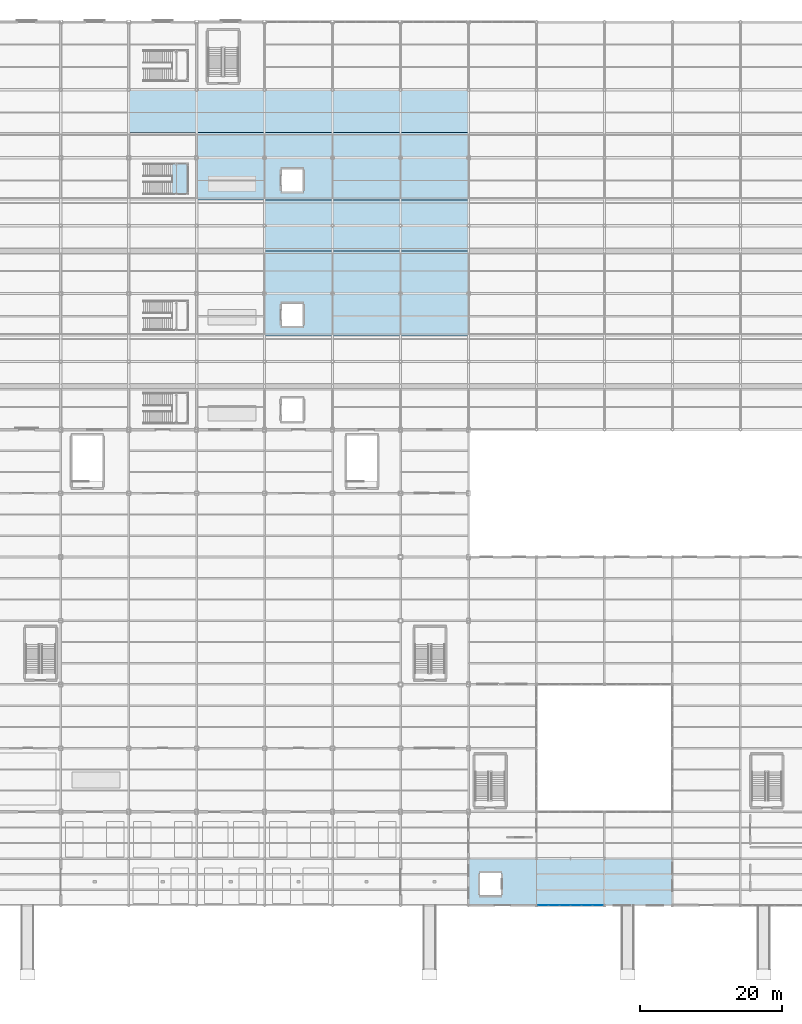
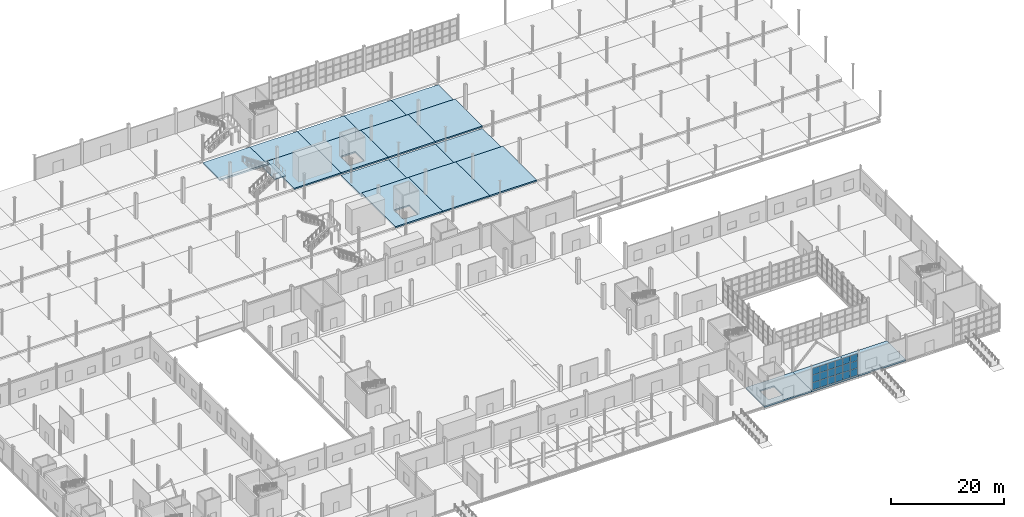
# One storey, part 50 of 85: 19 slabs, 18 plates, 2 elements without a shape of their own.
"""IFC4 building model written with IfcOpenShell, lengths in metres."""

from ifc_helpers import new_model, si_unit, direction, frame, origin, origin_2d, place, context, subcontext, project, spatial, polyline, rectangle, outline, extrude, material, layer, layer_set, type_object, element, aggregate, save


model = new_model("IFC4")

# Units and contexts
model_context = context("Model", 3, precision=1e-05, world=origin(), true_north=direction((0.0, 1.0)))
body_context = subcontext(model_context, "Body", "Model", "MODEL_VIEW")
ifc_project = project(units=[si_unit("LENGTHUNIT", "METRE"), si_unit("AREAUNIT", "SQUARE_METRE"), si_unit("VOLUMEUNIT", "CUBIC_METRE"), si_unit("PLANEANGLEUNIT", "RADIAN"), si_unit("MASSUNIT", "GRAM", prefix="KILO")], contexts=[model_context])

# Site, building, storey
site_placement = place(None, origin())
site = spatial("IfcSite", under=ifc_project, at=site_placement, CompositionType="ELEMENT")
building_placement = place(site_placement, origin())
building = spatial("IfcBuilding", under=site, at=building_placement, Name="Zarnetskaya Central Station", CompositionType="ELEMENT")
storey_placement = place(building_placement, origin())
storey = spatial("IfcBuildingStorey", under=building, at=storey_placement, Name="L00", CompositionType="ELEMENT", Elevation=0.0)

# Curtain wall, plates
ifc_material_1 = material(Name="Low-E insulated glass", Category="glass")
ifc_layer_1 = layer(ifc_material_1, 0.172119140625, Name="Low-E insulated glass", Category="glass")
ifc_layer_set_1 = layer_set([ifc_layer_1], Name="Low-E insulated glass")
curtain_wall_type = type_object("IfcCurtainWallType", Name="CW-SYS-04", PredefinedType="USERDEFINED", material=ifc_layer_set_1)
curtain_wall_placement = place(storey_placement, origin())
curtain_wall = element("IfcCurtainWall", 1, at=curtain_wall_placement, inside=storey, type_object=curtain_wall_type, Name="Curtain wall CW-L00-101", ObjectType="CURTAIN WALL", PredefinedType="USERDEFINED")
ifc_layer_2 = layer(ifc_material_1, 0.031982421875, Name="Low-E insulated glass", Category="glass")
ifc_layer_set_2 = layer_set([ifc_layer_2], Name="Low-E insulated glass")
plate_type = type_object("IfcPlateType", Name="CW-PAN-32", PredefinedType="CURTAIN_PANEL", material=ifc_layer_set_2)
plate_1_placement = place(storey_placement, frame((143.0576171875, 0.0, 0.06982421875), z_axis=(0.0, 0.0, 1.0), x_axis=(-1.0, 0.0, 0.0)))
plate_1 = element("IfcPlate", 2, at=plate_1_placement, type_object=plate_type, Name="CW-15 panel 1.1", PredefinedType="CURTAIN_PANEL", context=body_context, shape_type="SweptSolid", body=[
    extrude(rectangle(XDim=1.445068359375, YDim=0.031982421875, at=origin_2d()), origin(), (0.0, 0.0, 1.0), 1.512939453125),
])
plate_2_placement = place(storey_placement, frame((143.0576171875, 0.0, 1.65283203125), z_axis=(0.0, 0.0, 1.0), x_axis=(-1.0, 0.0, 0.0)))
plate_2 = element("IfcPlate", 3, at=plate_2_placement, type_object=plate_type, Name="CW-15 panel 1.2", PredefinedType="CURTAIN_PANEL", context=body_context, shape_type="SweptSolid", body=[
    extrude(rectangle(XDim=1.445068359375, YDim=0.031982421875, at=origin_2d()), origin(), (0.0, 0.0, 1.0), 1.549072265625),
])
plate_3_placement = place(storey_placement, frame((143.0576171875, 0.0, 3.27197265625), z_axis=(0.0, 0.0, 1.0), x_axis=(-1.0, 0.0, 0.0)))
plate_3 = element("IfcPlate", 4, at=plate_3_placement, type_object=plate_type, Name="CW-15 panel 1.3", PredefinedType="CURTAIN_PANEL", context=body_context, shape_type="SweptSolid", body=[
    extrude(rectangle(XDim=1.445068359375, YDim=0.031982421875, at=origin_2d()), origin(), (0.0, 0.0, 1.0), 1.41796875),
])
plate_4_placement = place(storey_placement, frame((141.52490234375, 0.0, 0.06982421875), z_axis=(0.0, 0.0, 1.0), x_axis=(-1.0, 0.0, 0.0)))
plate_4 = element("IfcPlate", 5, at=plate_4_placement, type_object=plate_type, Name="CW-15 panel 2.1", PredefinedType="CURTAIN_PANEL", context=body_context, shape_type="SweptSolid", body=[
    extrude(rectangle(XDim=1.47998046875, YDim=0.031982421875, at=origin_2d()), origin(), (0.0, 0.0, 1.0), 1.512939453125),
])
plate_5_placement = place(storey_placement, frame((141.52490234375, 0.0, 1.65283203125), z_axis=(0.0, 0.0, 1.0), x_axis=(-1.0, 0.0, 0.0)))
plate_5 = element("IfcPlate", 6, at=plate_5_placement, type_object=plate_type, Name="CW-15 panel 2.2", PredefinedType="CURTAIN_PANEL", context=body_context, shape_type="SweptSolid", body=[
    extrude(rectangle(XDim=1.47998046875, YDim=0.031982421875, at=origin_2d()), origin(), (0.0, 0.0, 1.0), 1.549072265625),
])
plate_6_placement = place(storey_placement, frame((141.52490234375, 0.0, 3.27197265625), z_axis=(0.0, 0.0, 1.0), x_axis=(-1.0, 0.0, 0.0)))
plate_6 = element("IfcPlate", 7, at=plate_6_placement, type_object=plate_type, Name="CW-15 panel 2.3", PredefinedType="CURTAIN_PANEL", context=body_context, shape_type="SweptSolid", body=[
    extrude(rectangle(XDim=1.47998046875, YDim=0.031982421875, at=origin_2d()), origin(), (0.0, 0.0, 1.0), 1.41796875),
])
plate_7_placement = place(storey_placement, frame((139.97509765625, 0.0, 0.06982421875), z_axis=(0.0, 0.0, 1.0), x_axis=(-1.0, 0.0, 0.0)))
plate_7 = element("IfcPlate", 8, at=plate_7_placement, type_object=plate_type, Name="CW-15 panel 3.1", PredefinedType="CURTAIN_PANEL", context=body_context, shape_type="SweptSolid", body=[
    extrude(rectangle(XDim=1.47998046875, YDim=0.031982421875, at=origin_2d()), origin(), (0.0, 0.0, 1.0), 1.512939453125),
])
plate_8_placement = place(storey_placement, frame((139.97509765625, 0.0, 1.65283203125), z_axis=(0.0, 0.0, 1.0), x_axis=(-1.0, 0.0, 0.0)))
plate_8 = element("IfcPlate", 9, at=plate_8_placement, type_object=plate_type, Name="CW-15 panel 3.2", PredefinedType="CURTAIN_PANEL", context=body_context, shape_type="SweptSolid", body=[
    extrude(rectangle(XDim=1.47998046875, YDim=0.031982421875, at=origin_2d()), origin(), (0.0, 0.0, 1.0), 1.549072265625),
])
plate_9_placement = place(storey_placement, frame((139.97509765625, 0.0, 3.27197265625), z_axis=(0.0, 0.0, 1.0), x_axis=(-1.0, 0.0, 0.0)))
plate_9 = element("IfcPlate", 10, at=plate_9_placement, type_object=plate_type, Name="CW-15 panel 3.3", PredefinedType="CURTAIN_PANEL", context=body_context, shape_type="SweptSolid", body=[
    extrude(rectangle(XDim=1.47998046875, YDim=0.031982421875, at=origin_2d()), origin(), (0.0, 0.0, 1.0), 1.41796875),
])
plate_10_placement = place(storey_placement, frame((138.425048828125, 0.0, 0.06982421875), z_axis=(0.0, 0.0, 1.0), x_axis=(-1.0, 0.0, 0.0)))
plate_10 = element("IfcPlate", 11, at=plate_10_placement, type_object=plate_type, Name="CW-15 panel 4.1", PredefinedType="CURTAIN_PANEL", context=body_context, shape_type="SweptSolid", body=[
    extrude(rectangle(XDim=1.47998046875, YDim=0.031982421875, at=origin_2d()), origin(), (0.0, 0.0, 1.0), 1.512939453125),
])
plate_11_placement = place(storey_placement, frame((138.425048828125, 0.0, 1.65283203125), z_axis=(0.0, 0.0, 1.0), x_axis=(-1.0, 0.0, 0.0)))
plate_11 = element("IfcPlate", 12, at=plate_11_placement, type_object=plate_type, Name="CW-15 panel 4.2", PredefinedType="CURTAIN_PANEL", context=body_context, shape_type="SweptSolid", body=[
    extrude(rectangle(XDim=1.47998046875, YDim=0.031982421875, at=origin_2d()), origin(), (0.0, 0.0, 1.0), 1.549072265625),
])
plate_12_placement = place(storey_placement, frame((138.425048828125, 0.0, 3.27197265625), z_axis=(0.0, 0.0, 1.0), x_axis=(-1.0, 0.0, 0.0)))
plate_12 = element("IfcPlate", 13, at=plate_12_placement, type_object=plate_type, Name="CW-15 panel 4.3", PredefinedType="CURTAIN_PANEL", context=body_context, shape_type="SweptSolid", body=[
    extrude(rectangle(XDim=1.47998046875, YDim=0.031982421875, at=origin_2d()), origin(), (0.0, 0.0, 1.0), 1.41796875),
])
plate_13_placement = place(storey_placement, frame((136.875, 0.0, 0.06982421875), z_axis=(0.0, 0.0, 1.0), x_axis=(-1.0, 0.0, 0.0)))
plate_13 = element("IfcPlate", 14, at=plate_13_placement, type_object=plate_type, Name="CW-15 panel 5.1", PredefinedType="CURTAIN_PANEL", context=body_context, shape_type="SweptSolid", body=[
    extrude(rectangle(XDim=1.47998046875, YDim=0.031982421875, at=origin_2d()), origin(), (0.0, 0.0, 1.0), 1.512939453125),
])
plate_14_placement = place(storey_placement, frame((136.875, 0.0, 1.65283203125), z_axis=(0.0, 0.0, 1.0), x_axis=(-1.0, 0.0, 0.0)))
plate_14 = element("IfcPlate", 15, at=plate_14_placement, type_object=plate_type, Name="CW-15 panel 5.2", PredefinedType="CURTAIN_PANEL", context=body_context, shape_type="SweptSolid", body=[
    extrude(rectangle(XDim=1.47998046875, YDim=0.031982421875, at=origin_2d()), origin(), (0.0, 0.0, 1.0), 1.549072265625),
])
plate_15_placement = place(storey_placement, frame((136.875, 0.0, 3.27197265625), z_axis=(0.0, 0.0, 1.0), x_axis=(-1.0, 0.0, 0.0)))
plate_15 = element("IfcPlate", 16, at=plate_15_placement, type_object=plate_type, Name="CW-15 panel 5.3", PredefinedType="CURTAIN_PANEL", context=body_context, shape_type="SweptSolid", body=[
    extrude(rectangle(XDim=1.47998046875, YDim=0.031982421875, at=origin_2d()), origin(), (0.0, 0.0, 1.0), 1.41796875),
])
plate_16_placement = place(storey_placement, frame((135.342529296875, 0.0, 0.06982421875), z_axis=(0.0, 0.0, 1.0), x_axis=(-1.0, 0.0, 0.0)))
plate_16 = element("IfcPlate", 17, at=plate_16_placement, type_object=plate_type, Name="CW-15 panel 6.1", PredefinedType="CURTAIN_PANEL", context=body_context, shape_type="SweptSolid", body=[
    extrude(rectangle(XDim=1.445068359375, YDim=0.031982421875, at=origin_2d()), origin(), (0.0, 0.0, 1.0), 1.512939453125),
])
plate_17_placement = place(storey_placement, frame((135.342529296875, 0.0, 1.65283203125), z_axis=(0.0, 0.0, 1.0), x_axis=(-1.0, 0.0, 0.0)))
plate_17 = element("IfcPlate", 18, at=plate_17_placement, type_object=plate_type, Name="CW-15 panel 6.2", PredefinedType="CURTAIN_PANEL", context=body_context, shape_type="SweptSolid", body=[
    extrude(rectangle(XDim=1.445068359375, YDim=0.031982421875, at=origin_2d()), origin(), (0.0, 0.0, 1.0), 1.549072265625),
])
plate_18_placement = place(storey_placement, frame((135.342529296875, 0.0, 3.27197265625), z_axis=(0.0, 0.0, 1.0), x_axis=(-1.0, 0.0, 0.0)))
plate_18 = element("IfcPlate", 19, at=plate_18_placement, type_object=plate_type, Name="CW-15 panel 6.3", PredefinedType="CURTAIN_PANEL", context=body_context, shape_type="SweptSolid", body=[
    extrude(rectangle(XDim=1.445068359375, YDim=0.031982421875, at=origin_2d()), origin(), (0.0, 0.0, 1.0), 1.41796875),
])
aggregate(curtain_wall, [plate_1, plate_2, plate_3, plate_4, plate_5, plate_6, plate_7, plate_8, plate_9, plate_10, plate_11, plate_12, plate_13, plate_14, plate_15, plate_16, plate_17, plate_18])

# Slabs
ifc_material_2 = material(Name="Concrete C30/37", Category="concrete")
ifc_layer_3 = layer(ifc_material_2, 0.320068359375, Name="Concrete C30/37", Category="concrete")
ifc_layer_set_3 = layer_set([ifc_layer_3], Name="Concrete C30/37")
slab_type_1 = type_object("IfcSlabType", Name="SLAB-L00-320", PredefinedType="FLOOR", material=ifc_layer_set_3)
slab_1_placement = place(storey_placement, frame((0.0, 0.0, -0.320068359375)))
element("IfcSlab", 20, at=slab_1_placement, inside=storey, type_object=slab_type_1, Name="L00 slab P-Q/1-2", PredefinedType="FLOOR", context=body_context, shape_type="SweptSolid", body=[
    extrude(outline(polyline([(124.800048828125, 0.0), (134.39990234375, 0.0), (134.39990234375, 6.60009765625), (124.800048828125, 6.60009765625), (124.800048828125, 0.0)]), holes=[polyline([(126.39990234375, 1.39990234375), (129.39990234375, 1.39990234375), (129.39990234375, 4.60009765625), (126.39990234375, 4.60009765625), (126.39990234375, 1.39990234375)])]), origin(), (0.0, 0.0, 1.0), 0.320068359375),
])
slab_2_placement = place(storey_placement, frame((0.0, 0.0, -0.320068359375)))
element("IfcSlab", 21, at=slab_2_placement, inside=storey, type_object=slab_type_1, Name="L00 slab Q-R/1-2", PredefinedType="FLOOR", context=body_context, shape_type="SweptSolid", body=[
    extrude(outline(polyline([(134.39990234375, 0.0), (144.0, 0.0), (144.0, 6.60009765625), (134.39990234375, 6.60009765625), (134.39990234375, 0.0)])), origin(), (0.0, 0.0, 1.0), 0.320068359375),
])
slab_3_placement = place(storey_placement, frame((0.0, 0.0, -0.320068359375)))
element("IfcSlab", 22, at=slab_3_placement, inside=storey, type_object=slab_type_1, Name="L00 slab R-S/1-2", PredefinedType="FLOOR", context=body_context, shape_type="SweptSolid", body=[
    extrude(outline(polyline([(144.0, 0.0), (153.60009765625, 0.0), (153.60009765625, 6.60009765625), (144.0, 6.60009765625), (144.0, 0.0)])), origin(), (0.0, 0.0, 1.0), 0.320068359375),
])
ifc_material_3 = material(Name="Precast concrete C40/50", Category="concrete")
ifc_layer_4 = layer(ifc_material_3, 0.300048828125, Name="Precast concrete C40/50", Category="concrete")
ifc_layer_set_4 = layer_set([ifc_layer_4], Name="Precast concrete C40/50")
slab_type_2 = type_object("IfcSlabType", Name="SLAB-PLAT-300", PredefinedType="FLOOR", material=ifc_layer_set_4)
slab_4_placement = place(storey_placement, frame((0.0, 0.0, -0.300048828125)))
element("IfcSlab", 23, at=slab_4_placement, inside=storey, type_object=slab_type_2, Name="Platform 3 Passenger Boarding Hall deck K-L", PredefinedType="FLOOR", context=body_context, shape_type="SweptSolid", body=[
    extrude(outline(polyline([(86.39990234375, 99.60009765625), (96.0, 99.60009765625), (96.0, 109.199951171875), (86.39990234375, 109.199951171875), (86.39990234375, 99.60009765625)])), origin(), (0.0, 0.0, 1.0), 0.300048828125),
])
slab_5_placement = place(storey_placement, frame((0.0, 0.0, -0.300048828125)))
element("IfcSlab", 24, at=slab_5_placement, inside=storey, type_object=slab_type_2, Name="Platform 2 Passenger Boarding Hall deck L-M", PredefinedType="FLOOR", context=body_context, shape_type="SweptSolid", body=[
    extrude(outline(polyline([(96.0, 80.39990234375), (105.60009765625, 80.39990234375), (105.60009765625, 92.39990234375), (96.0, 92.39990234375), (96.0, 80.39990234375)]), holes=[polyline([(98.39990234375, 81.800048828125), (101.39990234375, 81.800048828125), (101.39990234375, 85.0), (98.39990234375, 85.0), (98.39990234375, 81.800048828125)])]), origin(), (0.0, 0.0, 1.0), 0.300048828125),
])
slab_6_placement = place(storey_placement, frame((0.0, 0.0, -0.300048828125)))
element("IfcSlab", 25, at=slab_6_placement, inside=storey, type_object=slab_type_2, Name="Platform 3 Passenger Boarding Hall deck L-M", PredefinedType="FLOOR", context=body_context, shape_type="SweptSolid", body=[
    extrude(outline(polyline([(96.0, 99.60009765625), (105.60009765625, 99.60009765625), (105.60009765625, 109.199951171875), (96.0, 109.199951171875), (96.0, 99.60009765625)]), holes=[polyline([(98.39990234375, 100.800048828125), (101.39990234375, 100.800048828125), (101.39990234375, 104.0), (98.39990234375, 104.0), (98.39990234375, 100.800048828125)])]), origin(), (0.0, 0.0, 1.0), 0.300048828125),
])
slab_7_placement = place(storey_placement, frame((0.0, 0.0, -0.300048828125)))
element("IfcSlab", 26, at=slab_7_placement, inside=storey, type_object=slab_type_2, Name="Platform 2 Passenger Boarding Hall deck M-N", PredefinedType="FLOOR", context=body_context, shape_type="SweptSolid", body=[
    extrude(outline(polyline([(105.60009765625, 80.39990234375), (115.199951171875, 80.39990234375), (115.199951171875, 92.39990234375), (105.60009765625, 92.39990234375), (105.60009765625, 80.39990234375)])), origin(), (0.0, 0.0, 1.0), 0.300048828125),
])
slab_8_placement = place(storey_placement, frame((0.0, 0.0, -0.300048828125)))
element("IfcSlab", 27, at=slab_8_placement, inside=storey, type_object=slab_type_2, Name="Platform 3 Passenger Boarding Hall deck M-N", PredefinedType="FLOOR", context=body_context, shape_type="SweptSolid", body=[
    extrude(outline(polyline([(105.60009765625, 99.60009765625), (115.199951171875, 99.60009765625), (115.199951171875, 109.199951171875), (105.60009765625, 109.199951171875), (105.60009765625, 99.60009765625)])), origin(), (0.0, 0.0, 1.0), 0.300048828125),
])
slab_9_placement = place(storey_placement, frame((0.0, 0.0, -0.300048828125)))
element("IfcSlab", 28, at=slab_9_placement, inside=storey, type_object=slab_type_2, Name="Platform 2 Passenger Boarding Hall deck N-P", PredefinedType="FLOOR", context=body_context, shape_type="SweptSolid", body=[
    extrude(outline(polyline([(115.199951171875, 80.39990234375), (124.800048828125, 80.39990234375), (124.800048828125, 92.39990234375), (115.199951171875, 92.39990234375), (115.199951171875, 80.39990234375)])), origin(), (0.0, 0.0, 1.0), 0.300048828125),
])
slab_10_placement = place(storey_placement, frame((0.0, 0.0, -0.300048828125)))
element("IfcSlab", 29, at=slab_10_placement, inside=storey, type_object=slab_type_2, Name="Platform 3 Passenger Boarding Hall deck N-P", PredefinedType="FLOOR", context=body_context, shape_type="SweptSolid", body=[
    extrude(outline(polyline([(115.199951171875, 99.60009765625), (124.800048828125, 99.60009765625), (124.800048828125, 109.199951171875), (115.199951171875, 109.199951171875), (115.199951171875, 99.60009765625)])), origin(), (0.0, 0.0, 1.0), 0.300048828125),
])

# Stair, slab
stair_type = type_object("IfcStairType", Name="STAIR-ASSY-02", PredefinedType="HALF_TURN_STAIR", material=ifc_material_2)
stair_placement = place(storey_placement, origin())
stair = element("IfcStair", 30, at=stair_placement, inside=storey, type_object=stair_type, Name="Exit Stair ST-P3 L00", PredefinedType="HALF_TURN_STAIR")
ifc_layer_5 = layer(ifc_material_2, 0.18505859375, Name="Concrete C30/37", Category="concrete")
ifc_layer_set_5 = layer_set([ifc_layer_5], Name="Concrete C30/37")
slab_type_3 = type_object("IfcSlabType", Name="SLAB-STAIR-LND", PredefinedType="LANDING", material=ifc_layer_set_5)
slab_11_placement = place(storey_placement, frame((0.0, 0.0, 2.514892578125)))
slab_11 = element("IfcSlab", 31, at=slab_11_placement, type_object=slab_type_3, Name="ST-07 landing 1", PredefinedType="LANDING", context=body_context, shape_type="SweptSolid", body=[
    extrude(outline(polyline([(82.945068359375, 100.39990234375), (85.199951171875, 100.39990234375), (85.199951171875, 104.800048828125), (82.945068359375, 104.800048828125), (82.945068359375, 100.39990234375)])), origin(), (0.0, 0.0, 1.0), 0.18505859375),
])
aggregate(stair, [slab_11])

# Slabs
ifc_layer_6 = layer(ifc_material_2, 0.360107421875, Name="Concrete C30/37", Category="concrete")
ifc_layer_set_6 = layer_set([ifc_layer_6], Name="Concrete C30/37")
slab_type_4 = type_object("IfcSlabType", Name="SLAB-TRK-360", PredefinedType="BASESLAB", material=ifc_layer_set_6)
slab_12_placement = place(storey_placement, frame((0.0, 0.0, -0.909912109375)))
element("IfcSlab", 32, at=slab_12_placement, inside=storey, type_object=slab_type_4, Name="Rail Track Trough 5-6 slab J-K", PredefinedType="BASESLAB", context=body_context, shape_type="SweptSolid", body=[
    extrude(outline(polyline([(76.800048828125, 109.199951171875), (86.39990234375, 109.199951171875), (86.39990234375, 115.199951171875), (76.800048828125, 115.199951171875), (76.800048828125, 109.199951171875)])), origin(), (0.0, 0.0, 1.0), 0.35986328125),
])
slab_13_placement = place(storey_placement, frame((0.0, 0.0, -0.909912109375)))
element("IfcSlab", 33, at=slab_13_placement, inside=storey, type_object=slab_type_4, Name="Rail Track Trough 5-6 slab K-L", PredefinedType="BASESLAB", context=body_context, shape_type="SweptSolid", body=[
    extrude(outline(polyline([(86.39990234375, 109.199951171875), (96.0, 109.199951171875), (96.0, 115.199951171875), (86.39990234375, 115.199951171875), (86.39990234375, 109.199951171875)])), origin(), (0.0, 0.0, 1.0), 0.35986328125),
])
slab_14_placement = place(storey_placement, frame((0.0, 0.0, -0.909912109375)))
element("IfcSlab", 34, at=slab_14_placement, inside=storey, type_object=slab_type_4, Name="Rail Track Trough 3-4 slab L-M", PredefinedType="BASESLAB", context=body_context, shape_type="SweptSolid", body=[
    extrude(outline(polyline([(96.0, 92.39990234375), (105.60009765625, 92.39990234375), (105.60009765625, 99.60009765625), (96.0, 99.60009765625), (96.0, 92.39990234375)])), origin(), (0.0, 0.0, 1.0), 0.35986328125),
])
slab_15_placement = place(storey_placement, frame((0.0, 0.0, -0.909912109375)))
element("IfcSlab", 35, at=slab_15_placement, inside=storey, type_object=slab_type_4, Name="Rail Track Trough 5-6 slab L-M", PredefinedType="BASESLAB", context=body_context, shape_type="SweptSolid", body=[
    extrude(outline(polyline([(96.0, 109.199951171875), (105.60009765625, 109.199951171875), (105.60009765625, 115.199951171875), (96.0, 115.199951171875), (96.0, 109.199951171875)])), origin(), (0.0, 0.0, 1.0), 0.35986328125),
])
slab_16_placement = place(storey_placement, frame((0.0, 0.0, -0.909912109375)))
element("IfcSlab", 36, at=slab_16_placement, inside=storey, type_object=slab_type_4, Name="Rail Track Trough 3-4 slab M-N", PredefinedType="BASESLAB", context=body_context, shape_type="SweptSolid", body=[
    extrude(outline(polyline([(105.60009765625, 92.39990234375), (115.199951171875, 92.39990234375), (115.199951171875, 99.60009765625), (105.60009765625, 99.60009765625), (105.60009765625, 92.39990234375)])), origin(), (0.0, 0.0, 1.0), 0.35986328125),
])
slab_17_placement = place(storey_placement, frame((0.0, 0.0, -0.909912109375)))
element("IfcSlab", 37, at=slab_17_placement, inside=storey, type_object=slab_type_4, Name="Rail Track Trough 5-6 slab M-N", PredefinedType="BASESLAB", context=body_context, shape_type="SweptSolid", body=[
    extrude(outline(polyline([(105.60009765625, 109.199951171875), (115.199951171875, 109.199951171875), (115.199951171875, 115.199951171875), (105.60009765625, 115.199951171875), (105.60009765625, 109.199951171875)])), origin(), (0.0, 0.0, 1.0), 0.35986328125),
])
slab_18_placement = place(storey_placement, frame((0.0, 0.0, -0.909912109375)))
element("IfcSlab", 38, at=slab_18_placement, inside=storey, type_object=slab_type_4, Name="Rail Track Trough 3-4 slab N-P", PredefinedType="BASESLAB", context=body_context, shape_type="SweptSolid", body=[
    extrude(outline(polyline([(115.199951171875, 92.39990234375), (124.800048828125, 92.39990234375), (124.800048828125, 99.60009765625), (115.199951171875, 99.60009765625), (115.199951171875, 92.39990234375)])), origin(), (0.0, 0.0, 1.0), 0.35986328125),
])
slab_19_placement = place(storey_placement, frame((0.0, 0.0, -0.909912109375)))
element("IfcSlab", 39, at=slab_19_placement, inside=storey, type_object=slab_type_4, Name="Rail Track Trough 5-6 slab N-P", PredefinedType="BASESLAB", context=body_context, shape_type="SweptSolid", body=[
    extrude(outline(polyline([(115.199951171875, 109.199951171875), (124.800048828125, 109.199951171875), (124.800048828125, 115.199951171875), (115.199951171875, 115.199951171875), (115.199951171875, 109.199951171875)])), origin(), (0.0, 0.0, 1.0), 0.35986328125),
])

save(model, "model.ifc")
